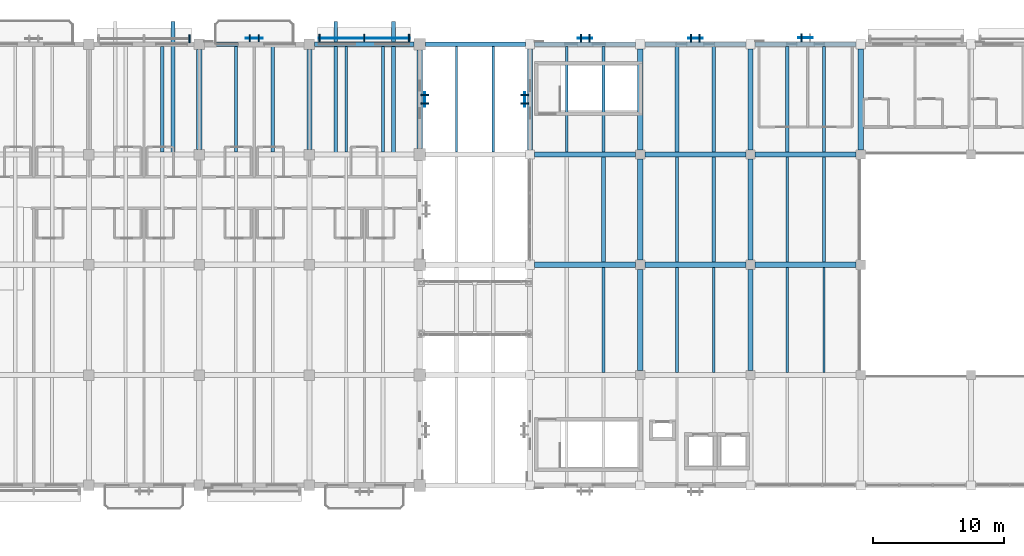
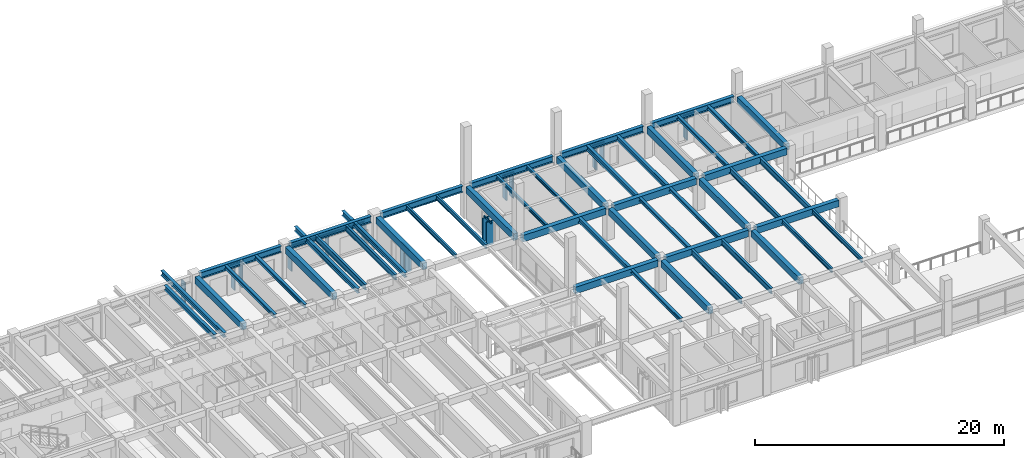
# One storey, part 24 of 123: 49 beams, 22 members, 8 elements without a shape of their own.
"""IFC4 building model written with IfcOpenShell, lengths in metres."""

from ifc_helpers import new_model, si_unit, direction, frame, origin, origin_2d, place, context, subcontext, project, spatial, rectangle, i_section, extrude, material, material_profile, profile_set, type_object, element, aggregate, save


model = new_model("IFC4")

# Units and contexts
model_context = context("Model", 3, precision=1e-05, world=origin(), true_north=direction((0.0, 1.0)))
body_context = subcontext(model_context, "Body", "Model", "MODEL_VIEW")
ifc_project = project(units=[si_unit("LENGTHUNIT", "METRE"), si_unit("AREAUNIT", "SQUARE_METRE"), si_unit("VOLUMEUNIT", "CUBIC_METRE"), si_unit("PLANEANGLEUNIT", "RADIAN"), si_unit("MASSUNIT", "GRAM", prefix="KILO")], contexts=[model_context])

# Site, building, storey
site_placement = place(None, origin())
site = spatial("IfcSite", under=ifc_project, at=site_placement, CompositionType="ELEMENT")
building_placement = place(site_placement, origin())
building = spatial("IfcBuilding", under=site, at=building_placement, Name="Cumbredor Promenade Congress Hotel", CompositionType="ELEMENT")
storey_placement = place(building_placement, frame((0.0, 0.0, 11.760009765625)))
storey = spatial("IfcBuildingStorey", under=building, at=storey_placement, Name="L03", CompositionType="ELEMENT", Elevation=11.760009765625)

# Beams
ifc_material_1 = material(Name="Concrete C40/50", Category="concrete")
ifc_material_profile_1 = material_profile(ifc_material_1, rectangle(XDim=0.39990234375, YDim=0.64990234375, at=origin_2d()), Name="RC BEAM 400x650")
ifc_profile_set_1 = profile_set([ifc_material_profile_1], Name="Concrete C40/50")
beam_type_1 = type_object("IfcBeamType", Name="BM-RC-400x650", PredefinedType="BEAM", material=ifc_profile_set_1)
for number, where, z_axis, x_axis, name in (
    (1, (67.199951171875, 109.60009765625, 2.794921875), (0.0, 1.0, 0.0), (-1.0, 0.0, 0.0), "L04 Y-Grid Beam 139"),
    (2, (75.60009765625, 109.60009765625, 2.794921875), (0.0, 1.0, 0.0), (-1.0, 0.0, 0.0), "L04 Y-Grid Beam 148"),
):
    element("IfcBeam", number, at=place(storey_placement, frame(where, z_axis=z_axis, x_axis=x_axis)), inside=storey, type_object=beam_type_1, Name=name, PredefinedType="BEAM", context=body_context, shape_type="SweptSolid", body=[
        extrude(rectangle(XDim=0.39990234375, YDim=0.64990234375, at=origin_2d()), origin(), (0.0, 0.0, 1.0), 7.599853515625),
    ])
beam_1_placement = place(storey_placement, frame((84.0, 109.64990234375, 2.794921875), z_axis=(0.0, 1.0, 0.0), x_axis=(-1.0, 0.0, 0.0)))
element("IfcBeam", 3, at=beam_1_placement, inside=storey, type_object=beam_type_1, Name="L04 Y-Grid Beam 157", PredefinedType="BEAM", context=body_context, shape_type="SweptSolid", body=[
    extrude(rectangle(XDim=0.39990234375, YDim=0.64990234375, at=origin_2d()), origin(), (0.0, 0.0, 1.0), 7.5),
])
for number, where, z_axis, x_axis, name in (
    (4, (92.75, 100.800048828125, 2.794921875), (1.0, 0.0, 0.0), (0.0, 1.0, 0.0), "L04 X-Grid Beam 163"),
    (5, (92.75, 109.199951171875, 2.794921875), (1.0, 0.0, 0.0), (0.0, 1.0, 0.0), "L04 X-Grid Beam 165"),
    (6, (92.39990234375, 109.550048828125, 2.794921875), (0.0, 1.0, 0.0), (-1.0, 0.0, 0.0), "L04 Y-Grid Beam 166"),
    (7, (100.800048828125, 92.75, 2.794921875), (0.0, 1.0, 0.0), (-1.0, 0.0, 0.0), "L04 Y-Grid Beam 171"),
):
    element("IfcBeam", number, at=place(storey_placement, frame(where, z_axis=z_axis, x_axis=x_axis)), inside=storey, type_object=beam_type_1, Name=name, PredefinedType="BEAM", context=body_context, shape_type="SweptSolid", body=[
        extrude(rectangle(XDim=0.39990234375, YDim=0.64990234375, at=origin_2d()), origin(), (0.0, 0.0, 1.0), 7.699951171875),
    ])
for number, where, z_axis, x_axis, name in (
    (8, (101.14990234375, 100.800048828125, 2.794921875), (1.0, 0.0, 0.0), (0.0, 1.0, 0.0), "L04 X-Grid Beam 172"),
    (9, (100.800048828125, 101.14990234375, 2.794921875), (0.0, 1.0, 0.0), (-1.0, 0.0, 0.0), "L04 Y-Grid Beam 173"),
    (10, (101.14990234375, 109.199951171875, 2.794921875), (1.0, 0.0, 0.0), (0.0, 1.0, 0.0), "L04 X-Grid Beam 174"),
):
    element("IfcBeam", number, at=place(storey_placement, frame(where, z_axis=z_axis, x_axis=x_axis)), inside=storey, type_object=beam_type_1, Name=name, PredefinedType="BEAM", context=body_context, shape_type="SweptSolid", body=[
        extrude(rectangle(XDim=0.39990234375, YDim=0.64990234375, at=origin_2d()), origin(), (0.0, 0.0, 1.0), 7.7001953125),
    ])
for number, where, z_axis, x_axis, name in (
    (11, (100.800048828125, 109.550048828125, 2.794921875), (0.0, 1.0, 0.0), (-1.0, 0.0, 0.0), "L04 Y-Grid Beam 175"),
    (12, (109.199951171875, 92.75, 2.794921875), (0.0, 1.0, 0.0), (-1.0, 0.0, 0.0), "L04 Y-Grid Beam 180"),
    (13, (109.550048828125, 100.800048828125, 2.794921875), (1.0, 0.0, 0.0), (0.0, 1.0, 0.0), "L04 X-Grid Beam 181"),
):
    element("IfcBeam", number, at=place(storey_placement, frame(where, z_axis=z_axis, x_axis=x_axis)), inside=storey, type_object=beam_type_1, Name=name, PredefinedType="BEAM", context=body_context, shape_type="SweptSolid", body=[
        extrude(rectangle(XDim=0.39990234375, YDim=0.64990234375, at=origin_2d()), origin(), (0.0, 0.0, 1.0), 7.699951171875),
    ])
beam_2_placement = place(storey_placement, frame((109.199951171875, 101.14990234375, 2.794921875), z_axis=(0.0, 1.0, 0.0), x_axis=(-1.0, 0.0, 0.0)))
element("IfcBeam", 14, at=beam_2_placement, inside=storey, type_object=beam_type_1, Name="L04 Y-Grid Beam 182", PredefinedType="BEAM", context=body_context, shape_type="SweptSolid", body=[
    extrude(rectangle(XDim=0.39990234375, YDim=0.64990234375, at=origin_2d()), origin(), (0.0, 0.0, 1.0), 7.7001953125),
])
for number, where, z_axis, x_axis, name in (
    (15, (109.550048828125, 109.199951171875, 2.794921875), (1.0, 0.0, 0.0), (0.0, 1.0, 0.0), "L04 X-Grid Beam 183"),
    (16, (109.199951171875, 109.550048828125, 2.794921875), (0.0, 1.0, 0.0), (-1.0, 0.0, 0.0), "L04 Y-Grid Beam 184"),
    (17, (117.60009765625, 109.550048828125, 2.794921875), (0.0, 1.0, 0.0), (-1.0, 0.0, 0.0), "L04 Y-Grid Beam 188"),
):
    element("IfcBeam", number, at=place(storey_placement, frame(where, z_axis=z_axis, x_axis=x_axis)), inside=storey, type_object=beam_type_1, Name=name, PredefinedType="BEAM", context=body_context, shape_type="SweptSolid", body=[
        extrude(rectangle(XDim=0.39990234375, YDim=0.64990234375, at=origin_2d()), origin(), (0.0, 0.0, 1.0), 7.699951171875),
    ])
ifc_material_2 = material(Name="Steel ASTM A992 Grade 50", Category="steel")
ifc_material_profile_2 = material_profile(ifc_material_2, i_section(OverallWidth=0.323974609375, OverallDepth=0.611083984375, WebThickness=0.0126953125, FlangeThickness=0.01904296875, at=origin_2d()), Name="W24X104")
ifc_profile_set_2 = profile_set([ifc_material_profile_2], Name="Steel ASTM A992 Grade 50")
beam_type_2 = type_object("IfcBeamType", Name="BM-W24X104", PredefinedType="BEAM", material=ifc_profile_set_2)
beam_3_placement = place(storey_placement, frame((67.60009765625, 117.60009765625, 2.814453125), z_axis=(1.0, 0.0, 0.0), x_axis=(0.0, 1.0, 0.0)))
element("IfcBeam", 18, at=beam_3_placement, inside=storey, type_object=beam_type_2, Name="L04 X-Grid Beam 140", PredefinedType="BEAM", context=body_context, shape_type="SweptSolid", body=[
    extrude(i_section(OverallWidth=0.323974609375, OverallDepth=0.611083984375, WebThickness=0.0126953125, FlangeThickness=0.01904296875, at=origin_2d()), origin(), (0.0, 0.0, 1.0), 7.599853515625),
])
beam_4_placement = place(storey_placement, frame((76.0, 117.60009765625, 2.814453125), z_axis=(1.0, 0.0, 0.0), x_axis=(0.0, 1.0, 0.0)))
element("IfcBeam", 19, at=beam_4_placement, inside=storey, type_object=beam_type_2, Name="L04 X-Grid Beam 149", PredefinedType="BEAM", context=body_context, shape_type="SweptSolid", body=[
    extrude(i_section(OverallWidth=0.323974609375, OverallDepth=0.611083984375, WebThickness=0.0126953125, FlangeThickness=0.01904296875, at=origin_2d()), origin(), (0.0, 0.0, 1.0), 7.550048828125),
])
beam_5_placement = place(storey_placement, frame((84.449951171875, 117.60009765625, 2.814453125), z_axis=(1.0, 0.0, 0.0), x_axis=(0.0, 1.0, 0.0)))
element("IfcBeam", 20, at=beam_5_placement, inside=storey, type_object=beam_type_2, Name="L04 X-Grid Beam 158", PredefinedType="BEAM", context=body_context, shape_type="SweptSolid", body=[
    extrude(i_section(OverallWidth=0.323974609375, OverallDepth=0.611083984375, WebThickness=0.0126953125, FlangeThickness=0.01904296875, at=origin_2d()), origin(), (0.0, 0.0, 1.0), 7.60009765625),
])
beam_6_placement = place(storey_placement, frame((92.75, 117.60009765625, 2.814453125), z_axis=(1.0, 0.0, 0.0), x_axis=(0.0, 1.0, 0.0)))
element("IfcBeam", 21, at=beam_6_placement, inside=storey, type_object=beam_type_2, Name="L04 X-Grid Beam 167", PredefinedType="BEAM", context=body_context, shape_type="SweptSolid", body=[
    extrude(i_section(OverallWidth=0.323974609375, OverallDepth=0.611083984375, WebThickness=0.0126953125, FlangeThickness=0.01904296875, at=origin_2d()), origin(), (0.0, 0.0, 1.0), 7.699951171875),
])
beam_7_placement = place(storey_placement, frame((101.14990234375, 117.60009765625, 2.814453125), z_axis=(1.0, 0.0, 0.0), x_axis=(0.0, 1.0, 0.0)))
element("IfcBeam", 22, at=beam_7_placement, inside=storey, type_object=beam_type_2, Name="L04 X-Grid Beam 176", PredefinedType="BEAM", context=body_context, shape_type="SweptSolid", body=[
    extrude(i_section(OverallWidth=0.323974609375, OverallDepth=0.611083984375, WebThickness=0.0126953125, FlangeThickness=0.01904296875, at=origin_2d()), origin(), (0.0, 0.0, 1.0), 7.7001953125),
])
beam_8_placement = place(storey_placement, frame((109.550048828125, 117.60009765625, 2.814453125), z_axis=(1.0, 0.0, 0.0), x_axis=(0.0, 1.0, 0.0)))
element("IfcBeam", 23, at=beam_8_placement, inside=storey, type_object=beam_type_2, Name="L04 X-Grid Beam 185", PredefinedType="BEAM", context=body_context, shape_type="SweptSolid", body=[
    extrude(i_section(OverallWidth=0.323974609375, OverallDepth=0.611083984375, WebThickness=0.0126953125, FlangeThickness=0.01904296875, at=origin_2d()), origin(), (0.0, 0.0, 1.0), 7.699951171875),
])

# Curtain wall, member
ifc_material_3 = material(Name="Thermally broken anodized aluminium and low-E glass", Category="aluminium")
curtain_wall_type = type_object("IfcCurtainWallType", Name="Solar Brise-Soleil Screen Assembly CW-07", PredefinedType="NOTDEFINED", material=ifc_material_3)
curtain_wall_1_placement = place(storey_placement, origin())
curtain_wall_1 = element("IfcCurtainWall", 24, at=curtain_wall_1_placement, inside=storey, type_object=curtain_wall_type, Name="L03 Pier Brise-Soleil Screen 0571", PredefinedType="NOTDEFINED")
ifc_material_4 = material(Name="Thermally broken anodized aluminium", Category="aluminium")
ifc_material_profile_3 = material_profile(ifc_material_4, rectangle(XDim=0.06494140625, YDim=0.1298828125, at=origin_2d()), Name="ALU TRANSOM 65x130")
ifc_profile_set_3 = profile_set([ifc_material_profile_3], Name="Thermally broken anodized aluminium")
member_type_1 = type_object("IfcMemberType", Name="Curtain Wall Transom TR-01", PredefinedType="USERDEFINED", material=ifc_profile_set_3)
member_1_placement = place(storey_placement, frame((96.050048828125, 118.050048828125, 2.333984375), z_axis=(1.0, 0.0, 0.0), x_axis=(0.0, 1.0, 0.0)))
member_1 = element("IfcMember", 25, at=member_1_placement, type_object=member_type_1, Name="L03 Pier Brise-Soleil Header 0573", ObjectType="TRANSOM", PredefinedType="USERDEFINED", context=body_context, shape_type="SweptSolid", body=[
    extrude(rectangle(XDim=0.06494140625, YDim=0.1298828125, at=origin_2d()), origin(), (0.0, 0.0, 1.0), 1.099853515625),
])

curtain_wall_2_placement = place(storey_placement, origin())
curtain_wall_2 = element("IfcCurtainWall", 26, at=curtain_wall_2_placement, inside=storey, type_object=curtain_wall_type, Name="L03 Pier Brise-Soleil Screen 0574", PredefinedType="NOTDEFINED")
member_2_placement = place(storey_placement, frame((104.449951171875, 118.072509765625, 2.333984375), z_axis=(1.0, 0.0, 0.0), x_axis=(0.0, 1.0, 0.0)))
member_2 = element("IfcMember", 27, at=member_2_placement, type_object=member_type_1, Name="L03 Pier Brise-Soleil Header 0576", ObjectType="TRANSOM", PredefinedType="USERDEFINED", context=body_context, shape_type="SweptSolid", body=[
    extrude(rectangle(XDim=0.06494140625, YDim=0.1298828125, at=origin_2d()), origin(), (0.0, 0.0, 1.0), 1.10009765625),
])

curtain_wall_3_placement = place(storey_placement, origin())
curtain_wall_3 = element("IfcCurtainWall", 28, at=curtain_wall_3_placement, inside=storey, type_object=curtain_wall_type, Name="L03 Pier Brise-Soleil Screen 0577", PredefinedType="NOTDEFINED")
member_3_placement = place(storey_placement, frame((112.85009765625, 118.0849609375, 2.333984375), z_axis=(1.0, 0.0, 0.0), x_axis=(0.0, 1.0, 0.0)))
member_3 = element("IfcMember", 29, at=member_3_placement, type_object=member_type_1, Name="L03 Pier Brise-Soleil Header 0579", ObjectType="TRANSOM", PredefinedType="USERDEFINED", context=body_context, shape_type="SweptSolid", body=[
    extrude(rectangle(XDim=0.06494140625, YDim=0.1298828125, at=origin_2d()), origin(), (0.0, 0.0, 1.0), 1.099853515625),
])

curtain_wall_4_placement = place(storey_placement, origin())
curtain_wall_4 = element("IfcCurtainWall", 30, at=curtain_wall_4_placement, inside=storey, type_object=curtain_wall_type, Name="L03 Pier Brise-Soleil Screen 0604", PredefinedType="NOTDEFINED")
member_4_placement = place(storey_placement, frame((92.010009765625, 112.85009765625, 2.294921875), z_axis=(0.0, 1.0, 0.0), x_axis=(-1.0, 0.0, 0.0)))
member_4 = element("IfcMember", 31, at=member_4_placement, type_object=member_type_1, Name="L03 Pier Brise-Soleil Header 0606", ObjectType="TRANSOM", PredefinedType="USERDEFINED", context=body_context, shape_type="SweptSolid", body=[
    extrude(rectangle(XDim=0.06494140625, YDim=0.1298828125, at=origin_2d()), origin(), (0.0, 0.0, 1.0), 1.099853515625),
])

curtain_wall_5_placement = place(storey_placement, origin())
curtain_wall_5 = element("IfcCurtainWall", 32, at=curtain_wall_5_placement, inside=storey, type_object=curtain_wall_type, Name="L03 Veranda Solar Brise-Soleil Screen 667", PredefinedType="NOTDEFINED")
member_5_placement = place(storey_placement, frame((70.75, 118.050048828125, 2.4140625), z_axis=(1.0, 0.0, 0.0), x_axis=(0.0, 1.0, 0.0)))
member_5 = element("IfcMember", 33, at=member_5_placement, type_object=member_type_1, Name="L03 Brise-Soleil Header Tie 0669", ObjectType="TRANSOM", PredefinedType="USERDEFINED", context=body_context, shape_type="SweptSolid", body=[
    extrude(rectangle(XDim=0.06494140625, YDim=0.1298828125, at=origin_2d()), origin(), (0.0, 0.0, 1.0), 1.300048828125),
])

curtain_wall_6_placement = place(storey_placement, origin())
curtain_wall_6 = element("IfcCurtainWall", 34, at=curtain_wall_6_placement, inside=storey, type_object=curtain_wall_type, Name="L03 Hospitality Brise-Soleil Screen 065", PredefinedType="NOTDEFINED")
member_6_placement = place(storey_placement, frame((76.301025390625, 118.072509765625, 2.31396484375), z_axis=(1.0, 0.0, 0.0), x_axis=(0.0, 1.0, 0.0)))
member_6 = element("IfcMember", 35, at=member_6_placement, type_object=member_type_1, Name="L03 Brise-Soleil Screen Transom 065", ObjectType="TRANSOM", PredefinedType="USERDEFINED", context=body_context, shape_type="SweptSolid", body=[
    extrude(rectangle(XDim=0.06494140625, YDim=0.1298828125, at=origin_2d()), origin(), (0.0, 0.0, 1.0), 6.947998046875),
])

curtain_wall_7_placement = place(storey_placement, origin())
curtain_wall_7 = element("IfcCurtainWall", 36, at=curtain_wall_7_placement, inside=storey, type_object=curtain_wall_type, Name="L03 Pier Brise-Soleil Screen 0691", PredefinedType="NOTDEFINED")
member_7_placement = place(storey_placement, frame((84.389892578125, 112.85009765625, 2.294921875), z_axis=(0.0, 1.0, 0.0), x_axis=(-1.0, 0.0, 0.0)))
member_7 = element("IfcMember", 37, at=member_7_placement, type_object=member_type_1, Name="L03 Pier Brise-Soleil Header 0693", ObjectType="TRANSOM", PredefinedType="USERDEFINED", context=body_context, shape_type="SweptSolid", body=[
    extrude(rectangle(XDim=0.06494140625, YDim=0.1298828125, at=origin_2d()), origin(), (0.0, 0.0, 1.0), 1.099853515625),
])

# Beams
ifc_material_profile_4 = material_profile(ifc_material_2, i_section(OverallWidth=0.202880859375, OverallDepth=0.302978515625, WebThickness=0.007568359375, FlangeThickness=0.01318359375, at=origin_2d()), Name="W12X40")
ifc_profile_set_4 = profile_set([ifc_material_profile_4], Name="Steel ASTM A992 Grade 50")
beam_type_3 = type_object("IfcBeamType", Name="JST-W12X40", PredefinedType="JOIST", material=ifc_profile_set_4)
for number, where, z_axis, x_axis, name in (
    (38, (95.199951171875, 109.39990234375, 2.968505859375), (0.0, 1.0, 0.0), (-1.0, 0.0, 0.0), "L04 Secondary Floor Joist 0110"),
    (39, (98.0, 109.39990234375, 2.968505859375), (0.0, 1.0, 0.0), (-1.0, 0.0, 0.0), "L04 Secondary Floor Joist 0111"),
):
    element("IfcBeam", number, at=place(storey_placement, frame(where, z_axis=z_axis, x_axis=x_axis)), inside=storey, type_object=beam_type_3, Name=name, PredefinedType="JOIST", context=body_context, shape_type="SweptSolid", body=[
        extrude(i_section(OverallWidth=0.202880859375, OverallDepth=0.302978515625, WebThickness=0.007568359375, FlangeThickness=0.01318359375, at=origin_2d()), origin(), (0.0, 0.0, 1.0), 8.0380859375),
    ])
ifc_material_profile_5 = material_profile(ifc_material_2, i_section(OverallWidth=0.2548828125, OverallDepth=0.35693359375, WebThickness=0.010498046875, FlangeThickness=0.018310546875, at=origin_2d()), Name="W14X68")
ifc_profile_set_5 = profile_set([ifc_material_profile_5], Name="Steel ASTM A992 Grade 50")
beam_type_4 = type_object("IfcBeamType", Name="JST-W14X68", PredefinedType="JOIST", material=ifc_profile_set_5)
for number, where, z_axis, x_axis, name in (
    (40, (70.0, 109.39990234375, 2.94140625), (0.0, 1.0, 0.0), (-1.0, 0.0, 0.0), "L04 Secondary Floor Joist 0086"),
    (41, (72.800048828125, 109.39990234375, 2.94140625), (0.0, 1.0, 0.0), (-1.0, 0.0, 0.0), "L04 Secondary Floor Joist 0087"),
):
    element("IfcBeam", number, at=place(storey_placement, frame(where, z_axis=z_axis, x_axis=x_axis)), inside=storey, type_object=beam_type_4, Name=name, PredefinedType="JOIST", context=body_context, shape_type="SweptSolid", body=[
        extrude(i_section(OverallWidth=0.2548828125, OverallDepth=0.35693359375, WebThickness=0.010498046875, FlangeThickness=0.018310546875, at=origin_2d()), origin(), (0.0, 0.0, 1.0), 8.0380859375),
    ])
for number, where, z_axis, x_axis, name in (
    (42, (98.0, 92.60009765625, 2.94140625), (0.0, 1.0, 0.0), (-1.0, 0.0, 0.0), "L04 Secondary Floor Joist 0107"),
    (43, (103.60009765625, 101.0, 2.94140625), (0.0, 1.0, 0.0), (-1.0, 0.0, 0.0), "L04 Secondary Floor Joist 0116"),
    (44, (106.39990234375, 101.0, 2.94140625), (0.0, 1.0, 0.0), (-1.0, 0.0, 0.0), "L04 Secondary Floor Joist 0117"),
):
    element("IfcBeam", number, at=place(storey_placement, frame(where, z_axis=z_axis, x_axis=x_axis)), inside=storey, type_object=beam_type_4, Name=name, PredefinedType="JOIST", context=body_context, shape_type="SweptSolid", body=[
        extrude(i_section(OverallWidth=0.2548828125, OverallDepth=0.35693359375, WebThickness=0.010498046875, FlangeThickness=0.018310546875, at=origin_2d()), origin(), (0.0, 0.0, 1.0), 8.0),
    ])
for number, where, z_axis, x_axis, name in (
    (45, (112.0, 109.39990234375, 2.94140625), (0.0, 1.0, 0.0), (-1.0, 0.0, 0.0), "L04 Secondary Floor Joist 0126"),
    (46, (114.800048828125, 109.39990234375, 2.94140625), (0.0, 1.0, 0.0), (-1.0, 0.0, 0.0), "L04 Secondary Floor Joist 0127"),
):
    element("IfcBeam", number, at=place(storey_placement, frame(where, z_axis=z_axis, x_axis=x_axis)), inside=storey, type_object=beam_type_4, Name=name, PredefinedType="JOIST", context=body_context, shape_type="SweptSolid", body=[
        extrude(i_section(OverallWidth=0.2548828125, OverallDepth=0.35693359375, WebThickness=0.010498046875, FlangeThickness=0.018310546875, at=origin_2d()), origin(), (0.0, 0.0, 1.0), 8.0380859375),
    ])
ifc_material_profile_6 = material_profile(ifc_material_2, i_section(OverallWidth=0.180908203125, OverallDepth=0.4169921875, WebThickness=0.010986328125, FlangeThickness=0.018310546875, at=origin_2d()), Name="W16X57")
ifc_profile_set_6 = profile_set([ifc_material_profile_6], Name="Steel ASTM A992 Grade 50")
beam_type_5 = type_object("IfcBeamType", Name="JST-W16X57", PredefinedType="JOIST", material=ifc_profile_set_6)
for number, where, z_axis, x_axis, name in (
    (47, (86.800048828125, 109.39990234375, 2.911376953125), (0.0, 1.0, 0.0), (-1.0, 0.0, 0.0), "L04 Secondary Floor Joist 0102"),
    (48, (89.60009765625, 109.39990234375, 2.911376953125), (0.0, 1.0, 0.0), (-1.0, 0.0, 0.0), "L04 Secondary Floor Joist 0103"),
):
    element("IfcBeam", number, at=place(storey_placement, frame(where, z_axis=z_axis, x_axis=x_axis)), inside=storey, type_object=beam_type_5, Name=name, PredefinedType="JOIST", context=body_context, shape_type="SweptSolid", body=[
        extrude(i_section(OverallWidth=0.180908203125, OverallDepth=0.4169921875, WebThickness=0.010986328125, FlangeThickness=0.018310546875, at=origin_2d()), origin(), (0.0, 0.0, 1.0), 8.0380859375),
    ])
for number, where, z_axis, x_axis, name in (
    (49, (112.0, 92.60009765625, 2.911376953125), (0.0, 1.0, 0.0), (-1.0, 0.0, 0.0), "L04 Secondary Floor Joist 0122"),
    (50, (114.800048828125, 92.60009765625, 2.911376953125), (0.0, 1.0, 0.0), (-1.0, 0.0, 0.0), "L04 Secondary Floor Joist 0123"),
):
    element("IfcBeam", number, at=place(storey_placement, frame(where, z_axis=z_axis, x_axis=x_axis)), inside=storey, type_object=beam_type_5, Name=name, PredefinedType="JOIST", context=body_context, shape_type="SweptSolid", body=[
        extrude(i_section(OverallWidth=0.180908203125, OverallDepth=0.4169921875, WebThickness=0.010986328125, FlangeThickness=0.018310546875, at=origin_2d()), origin(), (0.0, 0.0, 1.0), 8.0),
    ])
ifc_material_profile_7 = material_profile(ifc_material_2, i_section(OverallWidth=0.280029296875, OverallDepth=0.462890625, WebThickness=0.0107421875, FlangeThickness=0.017333984375, at=origin_2d()), Name="W18X76")
ifc_profile_set_7 = profile_set([ifc_material_profile_7], Name="Steel ASTM A992 Grade 50")
beam_type_6 = type_object("IfcBeamType", Name="JST-W18X76", PredefinedType="JOIST", material=ifc_profile_set_7)
for number, where, z_axis, x_axis, name in (
    (51, (65.199951171875, 109.199951171875, 2.888427734375), (0.0, 1.0, 0.0), (-1.0, 0.0, 0.0), "L04 Balcony Back-Spanned Outrigger Beam 023.2"),
    (52, (77.60009765625, 109.199951171875, 2.888427734375), (0.0, 1.0, 0.0), (-1.0, 0.0, 0.0), "L04 Balcony Back-Spanned Outrigger Beam 024.1"),
    (53, (82.0, 109.199951171875, 2.888427734375), (0.0, 1.0, 0.0), (-1.0, 0.0, 0.0), "L04 Balcony Back-Spanned Outrigger Beam 024.2"),
):
    element("IfcBeam", number, at=place(storey_placement, frame(where, z_axis=z_axis, x_axis=x_axis)), inside=storey, type_object=beam_type_6, Name=name, PredefinedType="JOIST", context=body_context, shape_type="SweptSolid", body=[
        extrude(i_section(OverallWidth=0.280029296875, OverallDepth=0.462890625, WebThickness=0.0107421875, FlangeThickness=0.017333984375, at=origin_2d()), origin(), (0.0, 0.0, 1.0), 10.150146484375),
    ])
beam_9_placement = place(storey_placement, frame((64.39990234375, 109.39990234375, 2.888427734375), z_axis=(0.0, 1.0, 0.0), x_axis=(-1.0, 0.0, 0.0)))
element("IfcBeam", 54, at=beam_9_placement, inside=storey, type_object=beam_type_6, Name="L04 Secondary Floor Joist 0079", PredefinedType="JOIST", context=body_context, shape_type="SweptSolid", body=[
    extrude(i_section(OverallWidth=0.280029296875, OverallDepth=0.462890625, WebThickness=0.0107421875, FlangeThickness=0.017333984375, at=origin_2d()), origin(), (0.0, 0.0, 1.0), 8.0380859375),
])
beam_10_placement = place(storey_placement, frame((98.0, 101.0, 2.888427734375), z_axis=(0.0, 1.0, 0.0), x_axis=(-1.0, 0.0, 0.0)))
element("IfcBeam", 55, at=beam_10_placement, inside=storey, type_object=beam_type_6, Name="L04 Secondary Floor Joist 0109", PredefinedType="JOIST", context=body_context, shape_type="SweptSolid", body=[
    extrude(i_section(OverallWidth=0.280029296875, OverallDepth=0.462890625, WebThickness=0.0107421875, FlangeThickness=0.017333984375, at=origin_2d()), origin(), (0.0, 0.0, 1.0), 8.0),
])
for number, where, z_axis, x_axis, name in (
    (56, (103.60009765625, 109.39990234375, 2.888427734375), (0.0, 1.0, 0.0), (-1.0, 0.0, 0.0), "L04 Secondary Floor Joist 0118"),
    (57, (106.39990234375, 109.39990234375, 2.888427734375), (0.0, 1.0, 0.0), (-1.0, 0.0, 0.0), "L04 Secondary Floor Joist 0119"),
):
    element("IfcBeam", number, at=place(storey_placement, frame(where, z_axis=z_axis, x_axis=x_axis)), inside=storey, type_object=beam_type_6, Name=name, PredefinedType="JOIST", context=body_context, shape_type="SweptSolid", body=[
        extrude(i_section(OverallWidth=0.280029296875, OverallDepth=0.462890625, WebThickness=0.0107421875, FlangeThickness=0.017333984375, at=origin_2d()), origin(), (0.0, 0.0, 1.0), 8.0380859375),
    ])
ifc_material_profile_8 = material_profile(ifc_material_2, i_section(OverallWidth=0.214111328125, OverallDepth=0.549072265625, WebThickness=0.0146484375, FlangeThickness=0.023681640625, at=origin_2d()), Name="W21X93")
ifc_profile_set_8 = profile_set([ifc_material_profile_8], Name="Steel ASTM A992 Grade 50")
beam_type_7 = type_object("IfcBeamType", Name="JST-W21X93", PredefinedType="JOIST", material=ifc_profile_set_8)
for number, where, z_axis, x_axis, name in (
    (58, (78.39990234375, 109.39990234375, 2.845458984375), (0.0, 1.0, 0.0), (-1.0, 0.0, 0.0), "L04 Secondary Floor Joist 0094"),
    (59, (81.199951171875, 109.39990234375, 2.845458984375), (0.0, 1.0, 0.0), (-1.0, 0.0, 0.0), "L04 Secondary Floor Joist 0095"),
):
    element("IfcBeam", number, at=place(storey_placement, frame(where, z_axis=z_axis, x_axis=x_axis)), inside=storey, type_object=beam_type_7, Name=name, PredefinedType="JOIST", context=body_context, shape_type="SweptSolid", body=[
        extrude(i_section(OverallWidth=0.214111328125, OverallDepth=0.549072265625, WebThickness=0.0146484375, FlangeThickness=0.023681640625, at=origin_2d()), origin(), (0.0, 0.0, 1.0), 8.0380859375),
    ])
for number, where, z_axis, x_axis, name in (
    (60, (103.60009765625, 92.60009765625, 2.845458984375), (0.0, 1.0, 0.0), (-1.0, 0.0, 0.0), "L04 Secondary Floor Joist 0114"),
    (61, (106.39990234375, 92.60009765625, 2.845458984375), (0.0, 1.0, 0.0), (-1.0, 0.0, 0.0), "L04 Secondary Floor Joist 0115"),
    (62, (112.0, 101.0, 2.845458984375), (0.0, 1.0, 0.0), (-1.0, 0.0, 0.0), "L04 Secondary Floor Joist 0124"),
    (63, (114.800048828125, 101.0, 2.845458984375), (0.0, 1.0, 0.0), (-1.0, 0.0, 0.0), "L04 Secondary Floor Joist 0125"),
):
    element("IfcBeam", number, at=place(storey_placement, frame(where, z_axis=z_axis, x_axis=x_axis)), inside=storey, type_object=beam_type_7, Name=name, PredefinedType="JOIST", context=body_context, shape_type="SweptSolid", body=[
        extrude(i_section(OverallWidth=0.214111328125, OverallDepth=0.549072265625, WebThickness=0.0146484375, FlangeThickness=0.023681640625, at=origin_2d()), origin(), (0.0, 0.0, 1.0), 8.0),
    ])

# Member
ifc_material_profile_9 = material_profile(ifc_material_4, rectangle(XDim=0.110107421875, YDim=0.6201171875, at=origin_2d()), Name="ARCH FIN 110x620")
ifc_profile_set_9 = profile_set([ifc_material_profile_9], Name="Thermally broken anodized aluminium")
member_type_2 = type_object("IfcMemberType", Name="Vertical Bronze Brise-Soleil Fin BSF-02 110x620", PredefinedType="USERDEFINED", material=ifc_profile_set_9)
member_8_placement = place(storey_placement, frame((96.280029296875, 118.050048828125, 0.02001953125), z_axis=(0.0, 0.0, 1.0), x_axis=(1.0, 0.0, 0.0)))
member_8 = element("IfcMember", 64, at=member_8_placement, type_object=member_type_2, Name="L03 Pier Brise-Soleil Fin 0572", ObjectType="SOLAR FIN", PredefinedType="USERDEFINED", context=body_context, shape_type="SweptSolid", body=[
    extrude(rectangle(XDim=0.110107421875, YDim=0.6201171875, at=origin_2d()), origin(), (0.0, 0.0, 1.0), 2.35400390625),
])

member_9_placement = place(storey_placement, frame((96.919921875, 118.050048828125, 0.02001953125), z_axis=(0.0, 0.0, 1.0), x_axis=(1.0, 0.0, 0.0)))
member_9 = element("IfcMember", 65, at=member_9_placement, type_object=member_type_2, Name="L03 Pier Brise-Soleil Fin 0573", ObjectType="SOLAR FIN", PredefinedType="USERDEFINED", context=body_context, shape_type="SweptSolid", body=[
    extrude(rectangle(XDim=0.110107421875, YDim=0.6201171875, at=origin_2d()), origin(), (0.0, 0.0, 1.0), 2.35400390625),
])

aggregate(curtain_wall_1, [member_8, member_9, member_1])

member_10_placement = place(storey_placement, frame((104.679931640625, 118.072509765625, 0.02001953125), z_axis=(0.0, 0.0, 1.0), x_axis=(1.0, 0.0, 0.0)))
member_10 = element("IfcMember", 66, at=member_10_placement, type_object=member_type_2, Name="L03 Pier Brise-Soleil Fin 0575", ObjectType="SOLAR FIN", PredefinedType="USERDEFINED", context=body_context, shape_type="SweptSolid", body=[
    extrude(rectangle(XDim=0.110107421875, YDim=0.6201171875, at=origin_2d()), origin(), (0.0, 0.0, 1.0), 2.35400390625),
])

member_11_placement = place(storey_placement, frame((105.320068359375, 118.072509765625, 0.02001953125), z_axis=(0.0, 0.0, 1.0), x_axis=(1.0, 0.0, 0.0)))
member_11 = element("IfcMember", 67, at=member_11_placement, type_object=member_type_2, Name="L03 Pier Brise-Soleil Fin 0576", ObjectType="SOLAR FIN", PredefinedType="USERDEFINED", context=body_context, shape_type="SweptSolid", body=[
    extrude(rectangle(XDim=0.110107421875, YDim=0.6201171875, at=origin_2d()), origin(), (0.0, 0.0, 1.0), 2.35400390625),
])

aggregate(curtain_wall_2, [member_10, member_11, member_2])

member_12_placement = place(storey_placement, frame((113.080078125, 118.0849609375, 0.02001953125), z_axis=(0.0, 0.0, 1.0), x_axis=(1.0, 0.0, 0.0)))
member_12 = element("IfcMember", 68, at=member_12_placement, type_object=member_type_2, Name="L03 Pier Brise-Soleil Fin 0578", ObjectType="SOLAR FIN", PredefinedType="USERDEFINED", context=body_context, shape_type="SweptSolid", body=[
    extrude(rectangle(XDim=0.110107421875, YDim=0.6201171875, at=origin_2d()), origin(), (0.0, 0.0, 1.0), 2.35400390625),
])

aggregate(curtain_wall_3, [member_12, member_3])

member_13_placement = place(storey_placement, frame((92.010009765625, 113.080078125, 0.02001953125), z_axis=(0.0, 0.0, 1.0), x_axis=(0.0, 1.0, 0.0)))
member_13 = element("IfcMember", 69, at=member_13_placement, type_object=member_type_2, Name="L03 Pier Brise-Soleil Fin 0605", ObjectType="SOLAR FIN", PredefinedType="USERDEFINED", context=body_context, shape_type="SweptSolid", body=[
    extrude(rectangle(XDim=0.110107421875, YDim=0.6201171875, at=origin_2d()), origin(), (0.0, 0.0, 1.0), 2.31494140625),
])

member_14_placement = place(storey_placement, frame((92.010009765625, 113.719970703125, 0.02001953125), z_axis=(0.0, 0.0, 1.0), x_axis=(0.0, 1.0, 0.0)))
member_14 = element("IfcMember", 70, at=member_14_placement, type_object=member_type_2, Name="L03 Pier Brise-Soleil Fin 0606", ObjectType="SOLAR FIN", PredefinedType="USERDEFINED", context=body_context, shape_type="SweptSolid", body=[
    extrude(rectangle(XDim=0.110107421875, YDim=0.6201171875, at=origin_2d()), origin(), (0.0, 0.0, 1.0), 2.31494140625),
])

aggregate(curtain_wall_4, [member_13, member_14, member_4])

# Curtain wall, member
curtain_wall_8_placement = place(storey_placement, origin())
curtain_wall_8 = element("IfcCurtainWall", 71, at=curtain_wall_8_placement, inside=storey, type_object=curtain_wall_type, Name="L03 Hospitality Brise-Soleil Screen 064", PredefinedType="NOTDEFINED")
member_15_placement = place(storey_placement, frame((66.448974609375, 118.034912109375, 0.02001953125), z_axis=(0.0, 0.0, 1.0), x_axis=(1.0, 0.0, 0.0)))
member_15 = element("IfcMember", 72, at=member_15_placement, type_object=member_type_2, Name="L03 Vertical Brise-Soleil Fin 0666", ObjectType="SOLAR FIN", PredefinedType="USERDEFINED", context=body_context, shape_type="SweptSolid", body=[
    extrude(rectangle(XDim=0.110107421875, YDim=0.6201171875, at=origin_2d()), origin(), (0.0, 0.0, 1.0), 2.35400390625),
])
aggregate(curtain_wall_8, [member_15])

# Member
member_16_placement = place(storey_placement, frame((76.35107421875, 118.072509765625, 0.02001953125), z_axis=(0.0, 0.0, 1.0), x_axis=(1.0, 0.0, 0.0)))
member_16 = element("IfcMember", 73, at=member_16_placement, type_object=member_type_2, Name="L03 Vertical Brise-Soleil Fin 0670", ObjectType="SOLAR FIN", PredefinedType="USERDEFINED", context=body_context, shape_type="SweptSolid", body=[
    extrude(rectangle(XDim=0.110107421875, YDim=0.6201171875, at=origin_2d()), origin(), (0.0, 0.0, 1.0), 2.35400390625),
])

member_17_placement = place(storey_placement, frame((83.198974609375, 118.072509765625, 0.02001953125), z_axis=(0.0, 0.0, 1.0), x_axis=(1.0, 0.0, 0.0)))
member_17 = element("IfcMember", 74, at=member_17_placement, type_object=member_type_2, Name="L03 Vertical Brise-Soleil Fin 0672", ObjectType="SOLAR FIN", PredefinedType="USERDEFINED", context=body_context, shape_type="SweptSolid", body=[
    extrude(rectangle(XDim=0.110107421875, YDim=0.6201171875, at=origin_2d()), origin(), (0.0, 0.0, 1.0), 2.35400390625),
])

member_18_placement = place(storey_placement, frame((84.389892578125, 113.080078125, 0.02001953125), z_axis=(0.0, 0.0, 1.0), x_axis=(0.0, 1.0, 0.0)))
member_18 = element("IfcMember", 75, at=member_18_placement, type_object=member_type_2, Name="L03 Pier Brise-Soleil Fin 0692", ObjectType="SOLAR FIN", PredefinedType="USERDEFINED", context=body_context, shape_type="SweptSolid", body=[
    extrude(rectangle(XDim=0.110107421875, YDim=0.6201171875, at=origin_2d()), origin(), (0.0, 0.0, 1.0), 2.31494140625),
])

member_19_placement = place(storey_placement, frame((84.389892578125, 113.719970703125, 0.02001953125), z_axis=(0.0, 0.0, 1.0), x_axis=(0.0, 1.0, 0.0)))
member_19 = element("IfcMember", 76, at=member_19_placement, type_object=member_type_2, Name="L03 Pier Brise-Soleil Fin 0693", ObjectType="SOLAR FIN", PredefinedType="USERDEFINED", context=body_context, shape_type="SweptSolid", body=[
    extrude(rectangle(XDim=0.110107421875, YDim=0.6201171875, at=origin_2d()), origin(), (0.0, 0.0, 1.0), 2.31494140625),
])

aggregate(curtain_wall_7, [member_18, member_19, member_7])

ifc_material_5 = material(Name="Kiln-dried tropical hardwood", Category="wood")
ifc_material_profile_10 = material_profile(ifc_material_5, rectangle(XDim=0.090087890625, YDim=0.550048828125, at=origin_2d()), Name="ARCH FIN 90x550")
ifc_profile_set_10 = profile_set([ifc_material_profile_10], Name="Kiln-dried tropical hardwood")
member_type_3 = type_object("IfcMemberType", Name="Vertical Hardwood Brise-Soleil Fin BSF-01 90x550", PredefinedType="USERDEFINED", material=ifc_profile_set_10)
member_20_placement = place(storey_placement, frame((71.050048828125, 118.050048828125, -0.010009765625), z_axis=(0.0, 0.0, 1.0), x_axis=(1.0, 0.0, 0.0)))
member_20 = element("IfcMember", 77, at=member_20_placement, type_object=member_type_3, Name="L03 Vertical Hardwood Brise-Soleil Fin 0668", ObjectType="SOLAR FIN", PredefinedType="USERDEFINED", context=body_context, shape_type="SweptSolid", body=[
    extrude(rectangle(XDim=0.090087890625, YDim=0.550048828125, at=origin_2d()), origin(), (0.0, 0.0, 1.0), 2.48388671875),
])

member_21_placement = place(storey_placement, frame((71.75, 118.050048828125, -0.010009765625), z_axis=(0.0, 0.0, 1.0), x_axis=(1.0, 0.0, 0.0)))
member_21 = element("IfcMember", 78, at=member_21_placement, type_object=member_type_3, Name="L03 Vertical Hardwood Brise-Soleil Fin 0669", ObjectType="SOLAR FIN", PredefinedType="USERDEFINED", context=body_context, shape_type="SweptSolid", body=[
    extrude(rectangle(XDim=0.090087890625, YDim=0.550048828125, at=origin_2d()), origin(), (0.0, 0.0, 1.0), 2.48388671875),
])

aggregate(curtain_wall_5, [member_20, member_21, member_5])

member_22_placement = place(storey_placement, frame((79.77490234375, 118.072509765625, 0.02001953125), z_axis=(0.0, 0.0, 1.0), x_axis=(1.0, 0.0, 0.0)))
member_22 = element("IfcMember", 79, at=member_22_placement, type_object=member_type_3, Name="L03 Vertical Brise-Soleil Fin 0671", ObjectType="SOLAR FIN", PredefinedType="USERDEFINED", context=body_context, shape_type="SweptSolid", body=[
    extrude(rectangle(XDim=0.090087890625, YDim=0.550048828125, at=origin_2d()), origin(), (0.0, 0.0, 1.0), 2.35400390625),
])

aggregate(curtain_wall_6, [member_6, member_16, member_22, member_17])

save(model, "model.ifc")
